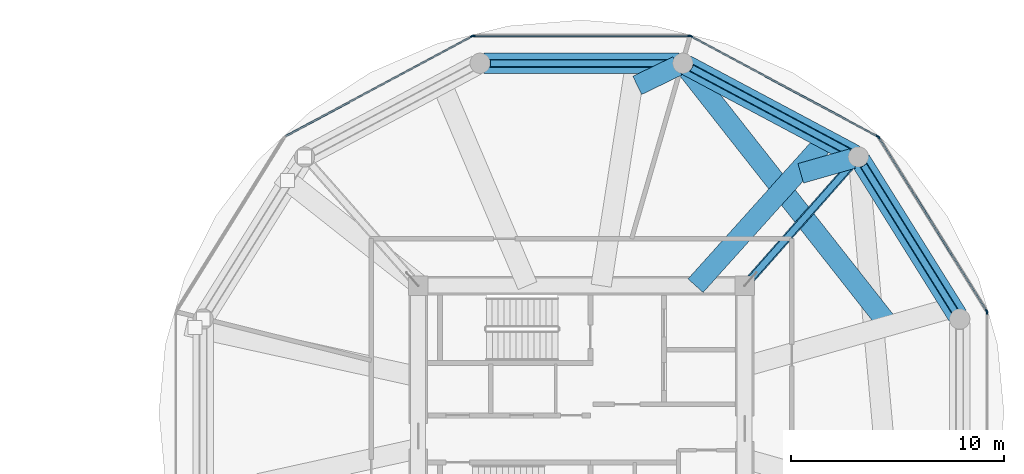
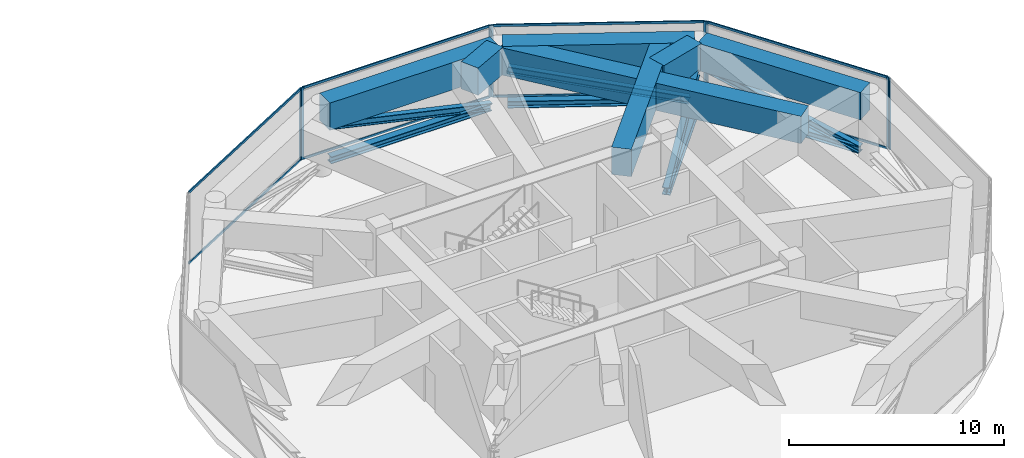
# One storey, part 12 of 22: 24 members, 7 beams, 5 elements without a shape of their own.
"""IFC4 building model written with IfcOpenShell, lengths in metres."""

from ifc_helpers import new_model, si_unit, direction, frame, origin, origin_2d, place, context, subcontext, project, spatial, rectangle, i_section, extrude, source, transform, mapped, material, layer, layer_set, material_profile, profile_set, type_object, type_shapes, element, aggregate, save


model = new_model("IFC4")

# Units and contexts
model_context = context("Model", 3, precision=1e-05, world=origin(), true_north=direction((0.0, 1.0)))
body_context = subcontext(model_context, "Body", "Model", "MODEL_VIEW")
ifc_project = project(units=[si_unit("LENGTHUNIT", "METRE"), si_unit("AREAUNIT", "SQUARE_METRE"), si_unit("VOLUMEUNIT", "CUBIC_METRE"), si_unit("PLANEANGLEUNIT", "RADIAN"), si_unit("MASSUNIT", "GRAM", prefix="KILO")], contexts=[model_context])

# Site, building, storey
site_placement = place(None, origin())
site = spatial("IfcSite", under=ifc_project, at=site_placement, CompositionType="ELEMENT")
building_placement = place(site_placement, origin())
building = spatial("IfcBuilding", under=site, at=building_placement, Name="Norrkilde Senior Care Towers", CompositionType="ELEMENT")
storey_placement = place(building_placement, frame((0.0, 0.0, 73.449951171875)))
storey = spatial("IfcBuildingStorey", under=building, at=storey_placement, Name="L22", CompositionType="ELEMENT", Elevation=73.449951171875)

# Beams
ifc_material_1 = material(Name="Concrete C60/75", Category="concrete")
ifc_material_profile_1 = material_profile(ifc_material_1, rectangle(XDim=0.949951171875, YDim=1.550048828125, at=origin_2d()), Name="RC TG 950x1550")
ifc_profile_set_1 = profile_set([ifc_material_profile_1], Name="Concrete C60/75")
beam_type = type_object("IfcBeamType", Name="Transfer Girder Zone Shift 950x1550", PredefinedType="USERDEFINED", material=ifc_profile_set_1)
shared_shape_1 = source(origin(), body_context, "Body", "SweptSolid", [
    extrude(rectangle(XDim=0.949951171875, YDim=1.550048828125, at=origin_2d()), origin(), (0.0, 0.0, 1.0), 8.6005859375),
])
beam_1_placement = place(storey_placement, frame((45.62939453125, 4.53955078125, 3.304931640625), z_axis=(-0.53002700696, 0.847980761511, 0.0), x_axis=(-0.847980761511, -0.53002700696, 0.0)))
element("IfcBeam", 1, at=beam_1_placement, inside=storey, type_object=beam_type, Name="L22 Drum E Zone Ring Transfer Girder 01", ObjectType="GIRDER", PredefinedType="USERDEFINED", context=body_context, shape_type="MappedRepresentation", body=[
    mapped(shared_shape_1, transform((0.0, 0.0, 0.0), x_axis=(1.0, 0.0, 0.0), y_axis=(0.0, 1.0, 0.0), z_axis=(0.0, 0.0, 1.0), scale=1.0)),
])
shared_shape_2 = source(origin(), body_context, "Body", "SweptSolid", [
    extrude(rectangle(XDim=0.949951171875, YDim=1.550048828125, at=origin_2d()), origin(), (0.0, 0.0, 1.0), 8.962890625),
])
beam_2_placement = place(storey_placement, frame((40.816650390625, 12.070068359375, 3.304931640625), z_axis=(-0.882355957252, 0.470582580109, 0.0), x_axis=(-0.470582580109, -0.882355957252, 0.0)))
element("IfcBeam", 2, at=beam_2_placement, inside=storey, type_object=beam_type, Name="L22 Drum E Zone Ring Transfer Girder 02", ObjectType="GIRDER", PredefinedType="USERDEFINED", context=body_context, shape_type="MappedRepresentation", body=[
    mapped(shared_shape_2, transform((0.0, 0.0, 0.0), x_axis=(1.0, 0.0, 0.0), y_axis=(0.0, 1.0, 0.0), z_axis=(0.0, 0.0, 1.0), scale=1.0)),
])
shared_shape_3 = source(origin(), body_context, "Body", "SweptSolid", [
    extrude(rectangle(XDim=0.949951171875, YDim=1.550048828125, at=origin_2d()), origin(), (0.0, 0.0, 1.0), 9.138671875),
])
beam_3_placement = place(storey_placement, frame((32.5693359375, 16.37255859375, 3.304931640625), z_axis=(-1.0, 0.0, 0.0), x_axis=(0.0, -1.0, 0.0)))
element("IfcBeam", 3, at=beam_3_placement, inside=storey, type_object=beam_type, Name="L22 Drum E Zone Ring Transfer Girder 03", ObjectType="GIRDER", PredefinedType="USERDEFINED", context=body_context, shape_type="MappedRepresentation", body=[
    mapped(shared_shape_3, transform((0.0, 0.0, 0.0), x_axis=(1.0, 0.0, 0.0), y_axis=(0.0, 1.0, 0.0), z_axis=(0.0, 0.0, 1.0), scale=1.0)),
])
shared_shape_4 = source(origin(), body_context, "Body", "SweptSolid", [
    extrude(rectangle(XDim=0.949951171875, YDim=1.550048828125, at=origin_2d()), origin(), (0.0, 0.0, 1.0), 2.093017578125),
])
beam_4_placement = place(storey_placement, frame((30.61474609375, 15.335693359375, 3.304931640625), z_axis=(0.899546137145, 0.436825762916, 0.0), x_axis=(-0.436825762916, 0.899546137145, 0.0)))
element("IfcBeam", 4, at=beam_4_placement, inside=storey, type_object=beam_type, Name="L22 Drum E Zone Star Transfer Tie 03", ObjectType="GIRDER", PredefinedType="USERDEFINED", context=body_context, shape_type="MappedRepresentation", body=[
    mapped(shared_shape_4, transform((0.0, 0.0, 0.0), x_axis=(1.0, 0.0, 0.0), y_axis=(0.0, 1.0, 0.0), z_axis=(0.0, 0.0, 1.0), scale=1.0)),
])
shared_shape_5 = source(origin(), body_context, "Body", "SweptSolid", [
    extrude(rectangle(XDim=0.949951171875, YDim=1.550048828125, at=origin_2d()), origin(), (0.0, 0.0, 1.0), 9.183349609375),
])
beam_5_placement = place(storey_placement, frame((33.345947265625, 5.949951171875, 3.304931640625), z_axis=(0.668319684115, 0.743874182792, 0.0), x_axis=(-0.743874182792, 0.668319684115, 0.0)))
element("IfcBeam", 5, at=beam_5_placement, inside=storey, type_object=beam_type, Name="L22 Drum E Zone Transfer Girder 02", ObjectType="GIRDER", PredefinedType="USERDEFINED", context=body_context, shape_type="MappedRepresentation", body=[
    mapped(shared_shape_5, transform((0.0, 0.0, 0.0), x_axis=(1.0, 0.0, 0.0), y_axis=(0.0, 1.0, 0.0), z_axis=(0.0, 0.0, 1.0), scale=1.0)),
])
shared_shape_6 = source(origin(), body_context, "Body", "SweptSolid", [
    extrude(rectangle(XDim=0.949951171875, YDim=1.550048828125, at=origin_2d()), origin(), (0.0, 0.0, 1.0), 2.528076171875),
])
beam_6_placement = place(storey_placement, frame((38.275390625, 11.2138671875, 3.304931640625), z_axis=(0.961520303508, 0.274733882041, 0.0), x_axis=(-0.274733882041, 0.961520303508, 0.0)))
element("IfcBeam", 6, at=beam_6_placement, inside=storey, type_object=beam_type, Name="L22 Drum E Zone Star Transfer Tie 02", ObjectType="GIRDER", PredefinedType="USERDEFINED", context=body_context, shape_type="MappedRepresentation", body=[
    mapped(shared_shape_6, transform((0.0, 0.0, 0.0), x_axis=(1.0, 0.0, 0.0), y_axis=(0.0, 1.0, 0.0), z_axis=(0.0, 0.0, 1.0), scale=1.0)),
])
shared_shape_7 = source(origin(), body_context, "Body", "SweptSolid", [
    extrude(rectangle(XDim=0.949951171875, YDim=1.550048828125, at=origin_2d()), origin(), (0.0, 0.0, 1.0), 15.082763671875),
])
type_shapes(beam_type, [shared_shape_1, shared_shape_2, shared_shape_3, shared_shape_4, shared_shape_5, shared_shape_6, shared_shape_7])
beam_7_placement = place(storey_placement, frame((42.245849609375, 4.29638671875, 3.304931640625), z_axis=(-0.618153196286, 0.786057647963, 0.0), x_axis=(-0.786057647963, -0.618153196286, 0.0)))
element("IfcBeam", 7, at=beam_7_placement, inside=storey, type_object=beam_type, Name="L22 Drum E Zone Star Transfer Tie 01", ObjectType="GIRDER", PredefinedType="USERDEFINED", context=body_context, shape_type="MappedRepresentation", body=[
    mapped(shared_shape_7, transform((0.0, 0.0, 0.0), x_axis=(1.0, 0.0, 0.0), y_axis=(0.0, 1.0, 0.0), z_axis=(0.0, 0.0, 1.0), scale=1.0)),
])

# Members
ifc_material_2 = material(Name="Steel S355", Category="steel")
ifc_material_profile_2 = material_profile(ifc_material_2, i_section(OverallWidth=0.3740234375, OverallDepth=0.386962890625, WebThickness=0.01611328125, FlangeThickness=0.027099609375, FilletRadius=0.014892578125, at=origin_2d()), Name="HD 360x262")
ifc_profile_set_2 = profile_set([ifc_material_profile_2], Name="Steel S355")
member_type_1 = type_object("IfcMemberType", Name="Belt Truss Ring Chord HD360x262", PredefinedType="CHORD", material=ifc_profile_set_2)
shared_shape_8 = source(origin(), body_context, "Body", "SweptSolid", [
    extrude(i_section(OverallWidth=0.3740234375, OverallDepth=0.386962890625, WebThickness=0.01611328125, FlangeThickness=0.027099609375, FilletRadius=0.014892578125, at=origin_2d()), origin(), (0.0, 0.0, 1.0), 8.090576171875),
])
member_1_placement = place(storey_placement, frame((45.494140625, 4.755859375, 0.550048828125), z_axis=(-0.530004364821, 0.84799491347, 0.0), x_axis=(-0.84799491347, -0.530004364821, 0.0)))
element("IfcMember", 8, at=member_1_placement, inside=storey, type_object=member_type_1, Name="L22 Drum E Belt Truss Bottom Chord 01", PredefinedType="CHORD", context=body_context, shape_type="MappedRepresentation", body=[
    mapped(shared_shape_8, transform((0.0, 0.0, 0.0), x_axis=(1.0, 0.0, 0.0), y_axis=(0.0, 1.0, 0.0), z_axis=(0.0, 0.0, 1.0), scale=1.0)),
])
ifc_material_profile_3 = material_profile(ifc_material_2, i_section(OverallWidth=0.300048828125, OverallDepth=0.39990234375, WebThickness=0.013427734375, FlangeThickness=0.02392578125, FilletRadius=0.027099609375, at=origin_2d()), Name="HEB 400")
ifc_profile_set_3 = profile_set([ifc_material_profile_3], Name="Steel S355")
member_type_2 = type_object("IfcMemberType", Name="Belt Truss Diagonal HEB400", PredefinedType="BRACE", material=ifc_profile_set_3)
shared_shape_9 = source(origin(), body_context, "Body", "SweptSolid", [
    extrude(i_section(OverallWidth=0.300048828125, OverallDepth=0.39990234375, WebThickness=0.013427734375, FlangeThickness=0.02392578125, FilletRadius=0.027099609375, at=origin_2d()), origin(), (0.0, 0.0, 1.0), 8.317626953125),
])
member_2_placement = place(storey_placement, frame((45.494140625, 4.755859375, 0.550048828125), z_axis=(-0.515540041994, 0.824852326355, 0.232028241401), x_axis=(-0.84799491347, -0.530004364821, 0.0)))
element("IfcMember", 9, at=member_2_placement, inside=storey, type_object=member_type_2, Name="L22 Drum E Belt Truss Diagonal 01", PredefinedType="BRACE", context=body_context, shape_type="MappedRepresentation", body=[
    mapped(shared_shape_9, transform((0.0, 0.0, 0.0), x_axis=(1.0, 0.0, 0.0), y_axis=(0.0, 1.0, 0.0), z_axis=(0.0, 0.0, 1.0), scale=1.0)),
])
shared_shape_10 = source(origin(), body_context, "Body", "SweptSolid", [
    extrude(i_section(OverallWidth=0.3740234375, OverallDepth=0.386962890625, WebThickness=0.01611328125, FlangeThickness=0.027099609375, FilletRadius=0.014892578125, at=origin_2d()), origin(), (0.0, 0.0, 1.0), 8.452880859375),
])
member_3_placement = place(storey_placement, frame((40.591552734375, 12.190185546875, 0.550048828125), z_axis=(-0.882368931134, 0.470558252898, 0.0), x_axis=(-0.470558252898, -0.882368931134, 0.0)))
element("IfcMember", 10, at=member_3_placement, inside=storey, type_object=member_type_1, Name="L22 Drum E Belt Truss Bottom Chord 02", PredefinedType="CHORD", context=body_context, shape_type="MappedRepresentation", body=[
    mapped(shared_shape_10, transform((0.0, 0.0, 0.0), x_axis=(1.0, 0.0, 0.0), y_axis=(0.0, 1.0, 0.0), z_axis=(0.0, 0.0, 1.0), scale=1.0)),
])
shared_shape_11 = source(origin(), body_context, "Body", "SweptSolid", [
    extrude(i_section(OverallWidth=0.300048828125, OverallDepth=0.39990234375, WebThickness=0.013427734375, FlangeThickness=0.02392578125, FilletRadius=0.027099609375, at=origin_2d()), origin(), (0.0, 0.0, 1.0), 8.67041015625),
])
member_4_placement = place(storey_placement, frame((40.591552734375, 12.190185546875, 0.550048828125), z_axis=(-0.860232119374, 0.458752919438, 0.222590340545), x_axis=(-0.470558252898, -0.882368931134, 0.0)))
element("IfcMember", 11, at=member_4_placement, inside=storey, type_object=member_type_2, Name="L22 Drum E Belt Truss Diagonal 02", PredefinedType="BRACE", context=body_context, shape_type="MappedRepresentation", body=[
    mapped(shared_shape_11, transform((0.0, 0.0, 0.0), x_axis=(1.0, 0.0, 0.0), y_axis=(0.0, 1.0, 0.0), z_axis=(0.0, 0.0, 1.0), scale=1.0)),
])
shared_shape_12 = source(origin(), body_context, "Body", "SweptSolid", [
    extrude(i_section(OverallWidth=0.3740234375, OverallDepth=0.386962890625, WebThickness=0.01611328125, FlangeThickness=0.027099609375, FilletRadius=0.014892578125, at=origin_2d()), origin(), (0.0, 0.0, 1.0), 8.62841796875),
])
type_shapes(member_type_1, [shared_shape_8, shared_shape_10, shared_shape_12])
member_5_placement = place(storey_placement, frame((32.314208984375, 16.37255859375, 0.550048828125), z_axis=(-1.0, 0.0, 0.0), x_axis=(0.0, -1.0, 0.0)))
element("IfcMember", 12, at=member_5_placement, inside=storey, type_object=member_type_1, Name="L22 Drum E Belt Truss Bottom Chord 03", PredefinedType="CHORD", context=body_context, shape_type="MappedRepresentation", body=[
    mapped(shared_shape_12, transform((0.0, 0.0, 0.0), x_axis=(1.0, 0.0, 0.0), y_axis=(0.0, 1.0, 0.0), z_axis=(0.0, 0.0, 1.0), scale=1.0)),
])
shared_shape_13 = source(origin(), body_context, "Body", "SweptSolid", [
    extrude(i_section(OverallWidth=0.300048828125, OverallDepth=0.39990234375, WebThickness=0.013427734375, FlangeThickness=0.02392578125, FilletRadius=0.027099609375, at=origin_2d()), origin(), (0.0, 0.0, 1.0), 8.841552734375),
])
type_shapes(member_type_2, [shared_shape_9, shared_shape_11, shared_shape_13])
member_6_placement = place(storey_placement, frame((32.314208984375, 16.37255859375, 0.550048828125), z_axis=(-0.975886613571, 0.0, 0.218278073688), x_axis=(0.0, -1.0, 0.0)))
element("IfcMember", 13, at=member_6_placement, inside=storey, type_object=member_type_2, Name="L22 Drum E Belt Truss Diagonal 03", PredefinedType="BRACE", context=body_context, shape_type="MappedRepresentation", body=[
    mapped(shared_shape_13, transform((0.0, 0.0, 0.0), x_axis=(1.0, 0.0, 0.0), y_axis=(0.0, 1.0, 0.0), z_axis=(0.0, 0.0, 1.0), scale=1.0)),
])
ifc_material_profile_4 = material_profile(ifc_material_2, i_section(OverallWidth=0.402099609375, OverallDepth=0.419921875, WebThickness=0.02001953125, FlangeThickness=0.032958984375, FilletRadius=0.014892578125, at=origin_2d()), Name="HD 400x347")
ifc_profile_set_4 = profile_set([ifc_material_profile_4], Name="Steel S355")
member_type_3 = type_object("IfcMemberType", Name="Outrigger Truss Chord HD400x347", PredefinedType="CHORD", material=ifc_profile_set_4)
shared_shape_14 = source(origin(), body_context, "Body", "SweptSolid", [
    extrude(i_section(OverallWidth=0.402099609375, OverallDepth=0.419921875, WebThickness=0.02001953125, FlangeThickness=0.032958984375, FilletRadius=0.014892578125, at=origin_2d()), origin(), (0.0, 0.0, 1.0), 7.203857421875),
])
type_shapes(member_type_3, [shared_shape_14])
member_7_placement = place(storey_placement, frame((35.92138671875, 6.25732421875, 0.550048828125), z_axis=(0.661603702805, 0.74985367935, 0.0), x_axis=(-0.74985367935, 0.661603702805, 0.0)))
element("IfcMember", 14, at=member_7_placement, inside=storey, type_object=member_type_3, Name="L22 Drum E Outrigger Chord 3", PredefinedType="CHORD", context=body_context, shape_type="MappedRepresentation", body=[
    mapped(shared_shape_14, transform((0.0, 0.0, 0.0), x_axis=(1.0, 0.0, 0.0), y_axis=(0.0, 1.0, 0.0), z_axis=(0.0, 0.0, 1.0), scale=1.0)),
])
ifc_material_profile_5 = material_profile(ifc_material_2, i_section(OverallWidth=0.300048828125, OverallDepth=0.5, WebThickness=0.014404296875, FlangeThickness=0.028076171875, FilletRadius=0.027099609375, at=origin_2d()), Name="HEB 500")
ifc_profile_set_5 = profile_set([ifc_material_profile_5], Name="Steel S355")
member_type_4 = type_object("IfcMemberType", Name="Outrigger Truss Diagonal HEB500", PredefinedType="BRACE", material=ifc_profile_set_5)
shared_shape_15 = source(origin(), body_context, "Body", "SweptSolid", [
    extrude(i_section(OverallWidth=0.300048828125, OverallDepth=0.5, WebThickness=0.014404296875, FlangeThickness=0.028076171875, FilletRadius=0.027099609375, at=origin_2d()), origin(), (0.0, 0.0, 1.0), 7.4580078125),
])
type_shapes(member_type_4, [shared_shape_15])
member_8_placement = place(storey_placement, frame((35.92138671875, 6.25732421875, 0.550048828125), z_axis=(0.639067688082, 0.724311631314, 0.258776256239), x_axis=(-0.74985367935, 0.661603702805, 0.0)))
element("IfcMember", 15, at=member_8_placement, inside=storey, type_object=member_type_4, Name="L22 Drum E Outrigger Diagonal 3", PredefinedType="BRACE", context=body_context, shape_type="MappedRepresentation", body=[
    mapped(shared_shape_15, transform((0.0, 0.0, 0.0), x_axis=(1.0, 0.0, 0.0), y_axis=(0.0, 1.0, 0.0), z_axis=(0.0, 0.0, 1.0), scale=1.0)),
])

# Curtain wall, members
ifc_material_3 = material(Name="Triple Low-E Insulated Glazing", Category="glass")
ifc_layer = layer(ifc_material_3, 0.18505859375)
ifc_layer_set = layer_set([ifc_layer], Name="Triple Low-E Insulated Glazing")
curtain_wall_type = type_object("IfcCurtainWallType", Name="CW6 Zone 4 Crown Pavilion Curtain Wall", PredefinedType="NOTDEFINED", material=ifc_layer_set)
curtain_wall_1_placement = place(storey_placement, origin())
curtain_wall_1 = element("IfcCurtainWall", 16, at=curtain_wall_1_placement, inside=storey, type_object=curtain_wall_type, Name="L22 Drum E Curtain Wall 00", PredefinedType="NOTDEFINED")
ifc_material_4 = material(Name="Anodised Aluminium", Category="aluminium")
ifc_material_profile_6 = material_profile(ifc_material_4, rectangle(XDim=0.070068359375, YDim=0.169921875, at=origin_2d()), Name="ALU MULL 70x170")
ifc_profile_set_6 = profile_set([ifc_material_profile_6], Name="Anodised Aluminium")
member_type_5 = type_object("IfcMemberType", Name="Curtain Wall Mullion Heavy 70x170", PredefinedType="MULLION", material=ifc_profile_set_6)
shared_shape_16 = source(origin(), body_context, "Body", "SweptSolid", [
    extrude(rectangle(XDim=0.070068359375, YDim=0.169921875, at=origin_2d()), origin(), (0.0, 0.0, 1.0), 4.080078125),
])
type_shapes(member_type_5, [shared_shape_16])
member_9_placement = place(storey_placement, frame((41.934326171875, 12.896240234375, 0.0), z_axis=(0.0, 0.0, 1.0), x_axis=(0.849305943117, 0.527900951871, 0.0)))
member_9 = element("IfcMember", 17, at=member_9_placement, type_object=member_type_5, Name="CW-6 mullion 1", PredefinedType="MULLION", context=body_context, shape_type="MappedRepresentation", body=[
    mapped(shared_shape_16, transform((0.0, 0.0, 0.0), x_axis=(1.0, 0.0, 0.0), y_axis=(0.0, 1.0, 0.0), z_axis=(0.0, 0.0, 1.0), scale=1.0)),
])
member_10_placement = place(storey_placement, frame((46.990966796875, 4.760986328125, 0.0), z_axis=(0.0, 0.0, 1.0), x_axis=(0.849305943117, 0.527900951871, 0.0)))
member_10 = element("IfcMember", 18, at=member_10_placement, type_object=member_type_5, Name="CW-6 mullion 2", PredefinedType="MULLION", context=body_context, shape_type="MappedRepresentation", body=[
    mapped(shared_shape_16, transform((0.0, 0.0, 0.0), x_axis=(1.0, 0.0, 0.0), y_axis=(0.0, 1.0, 0.0), z_axis=(0.0, 0.0, 1.0), scale=1.0)),
])

curtain_wall_2_placement = place(storey_placement, origin())
curtain_wall_2 = element("IfcCurtainWall", 19, at=curtain_wall_2_placement, inside=storey, type_object=curtain_wall_type, Name="L22 Drum E Curtain Wall 01", PredefinedType="NOTDEFINED")
member_11_placement = place(storey_placement, frame((33.12451171875, 17.640625, 0.0), z_axis=(0.0, 0.0, 1.0), x_axis=(0.472607802456, 0.881272866403, 0.0)))
member_11 = element("IfcMember", 20, at=member_11_placement, type_object=member_type_5, Name="CW-6 mullion 1", PredefinedType="MULLION", context=body_context, shape_type="MappedRepresentation", body=[
    mapped(shared_shape_16, transform((0.0, 0.0, 0.0), x_axis=(1.0, 0.0, 0.0), y_axis=(0.0, 1.0, 0.0), z_axis=(0.0, 0.0, 1.0), scale=1.0)),
])
member_12_placement = place(storey_placement, frame((41.885009765625, 12.9423828125, 0.0), z_axis=(0.0, 0.0, 1.0), x_axis=(0.472607802456, 0.881272866403, 0.0)))
member_12 = element("IfcMember", 21, at=member_12_placement, type_object=member_type_5, Name="CW-6 mullion 2", PredefinedType="MULLION", context=body_context, shape_type="MappedRepresentation", body=[
    mapped(shared_shape_16, transform((0.0, 0.0, 0.0), x_axis=(1.0, 0.0, 0.0), y_axis=(0.0, 1.0, 0.0), z_axis=(0.0, 0.0, 1.0), scale=1.0)),
])

curtain_wall_3_placement = place(storey_placement, origin())
curtain_wall_3 = element("IfcCurtainWall", 22, at=curtain_wall_3_placement, inside=storey, type_object=curtain_wall_type, Name="L22 Drum E Curtain Wall 02", PredefinedType="NOTDEFINED")
member_13_placement = place(storey_placement, frame((22.94140625, 17.6572265625, 0.0), z_axis=(0.0, 0.0, 1.0), x_axis=(0.0, 1.0, 0.0)))
member_13 = element("IfcMember", 23, at=member_13_placement, type_object=member_type_5, Name="CW-6 mullion 1", PredefinedType="MULLION", context=body_context, shape_type="MappedRepresentation", body=[
    mapped(shared_shape_16, transform((0.0, 0.0, 0.0), x_axis=(1.0, 0.0, 0.0), y_axis=(0.0, 1.0, 0.0), z_axis=(0.0, 0.0, 1.0), scale=1.0)),
])
member_14_placement = place(storey_placement, frame((33.05859375, 17.6572265625, 0.0), z_axis=(0.0, 0.0, 1.0), x_axis=(0.0, 1.0, 0.0)))
member_14 = element("IfcMember", 24, at=member_14_placement, type_object=member_type_5, Name="CW-6 mullion 2", PredefinedType="MULLION", context=body_context, shape_type="MappedRepresentation", body=[
    mapped(shared_shape_16, transform((0.0, 0.0, 0.0), x_axis=(1.0, 0.0, 0.0), y_axis=(0.0, 1.0, 0.0), z_axis=(0.0, 0.0, 1.0), scale=1.0)),
])

# Curtain wall, member
curtain_wall_4_placement = place(storey_placement, origin())
curtain_wall_4 = element("IfcCurtainWall", 25, at=curtain_wall_4_placement, inside=storey, type_object=curtain_wall_type, Name="L22 Drum E Curtain Wall 03", PredefinedType="NOTDEFINED")
member_15_placement = place(storey_placement, frame((22.87548828125, 17.640625, 0.0), z_axis=(0.0, 0.0, 1.0), x_axis=(-0.472607802456, 0.881272866403, 0.0)))
member_15 = element("IfcMember", 26, at=member_15_placement, type_object=member_type_5, Name="CW-6 mullion 2", PredefinedType="MULLION", context=body_context, shape_type="MappedRepresentation", body=[
    mapped(shared_shape_16, transform((0.0, 0.0, 0.0), x_axis=(1.0, 0.0, 0.0), y_axis=(0.0, 1.0, 0.0), z_axis=(0.0, 0.0, 1.0), scale=1.0)),
])

curtain_wall_5_placement = place(storey_placement, origin())
curtain_wall_5 = element("IfcCurtainWall", 27, at=curtain_wall_5_placement, inside=storey, type_object=curtain_wall_type, Name="L22 Drum E Curtain Wall 11", PredefinedType="NOTDEFINED")
member_16_placement = place(storey_placement, frame((47.009521484375, 4.6962890625, 0.0), z_axis=(0.0, 0.0, 1.0), x_axis=(1.0, 0.0, 0.0)))
member_16 = element("IfcMember", 28, at=member_16_placement, type_object=member_type_5, Name="CW-6 mullion 1", PredefinedType="MULLION", context=body_context, shape_type="MappedRepresentation", body=[
    mapped(shared_shape_16, transform((0.0, 0.0, 0.0), x_axis=(1.0, 0.0, 0.0), y_axis=(0.0, 1.0, 0.0), z_axis=(0.0, 0.0, 1.0), scale=1.0)),
])
aggregate(curtain_wall_5, [member_16])

# Member
ifc_material_profile_7 = material_profile(ifc_material_4, rectangle(XDim=0.06494140625, YDim=0.1298828125, at=origin_2d()), Name="ALU TRAN 65x130")
ifc_profile_set_7 = profile_set([ifc_material_profile_7], Name="Anodised Aluminium")
member_type_6 = type_object("IfcMemberType", Name="Curtain Wall Transom Heavy 65x130", PredefinedType="USERDEFINED", material=ifc_profile_set_7)
shared_shape_17 = source(origin(), body_context, "Body", "SweptSolid", [
    extrude(rectangle(XDim=0.06494140625, YDim=0.1298828125, at=origin_2d()), origin(), (0.0, 0.0, 1.0), 9.508544921875),
])
member_17_placement = place(storey_placement, frame((41.952880859375, 12.866455078125, 0.032470703125), z_axis=(0.527897081271, -0.849308348944, 0.0), x_axis=(0.849308348944, 0.527897081271, 0.0)))
member_17 = element("IfcMember", 29, at=member_17_placement, type_object=member_type_6, Name="CW-6 transom 1.1", ObjectType="TRANSOM", PredefinedType="USERDEFINED", context=body_context, shape_type="MappedRepresentation", body=[
    mapped(shared_shape_17, transform((0.0, 0.0, 0.0), x_axis=(1.0, 0.0, 0.0), y_axis=(0.0, 1.0, 0.0), z_axis=(0.0, 0.0, 1.0), scale=1.0)),
])

member_18_placement = place(storey_placement, frame((41.952880859375, 12.866455078125, 4.047607421875), z_axis=(0.527897081271, -0.849308348944, 0.0), x_axis=(0.849308348944, 0.527897081271, 0.0)))
member_18 = element("IfcMember", 30, at=member_18_placement, type_object=member_type_6, Name="CW-6 transom 1.2", ObjectType="TRANSOM", PredefinedType="USERDEFINED", context=body_context, shape_type="MappedRepresentation", body=[
    mapped(shared_shape_17, transform((0.0, 0.0, 0.0), x_axis=(1.0, 0.0, 0.0), y_axis=(0.0, 1.0, 0.0), z_axis=(0.0, 0.0, 1.0), scale=1.0)),
])

aggregate(curtain_wall_1, [member_9, member_10, member_17, member_18])

shared_shape_18 = source(origin(), body_context, "Body", "SweptSolid", [
    extrude(rectangle(XDim=0.06494140625, YDim=0.1298828125, at=origin_2d()), origin(), (0.0, 0.0, 1.0), 9.870849609375),
])
member_19_placement = place(storey_placement, frame((33.1552734375, 17.6240234375, 0.032470703125), z_axis=(0.881274347161, -0.472605041272, 0.0), x_axis=(0.472605041272, 0.881274347161, 0.0)))
member_19 = element("IfcMember", 31, at=member_19_placement, type_object=member_type_6, Name="CW-6 transom 1.1", ObjectType="TRANSOM", PredefinedType="USERDEFINED", context=body_context, shape_type="MappedRepresentation", body=[
    mapped(shared_shape_18, transform((0.0, 0.0, 0.0), x_axis=(1.0, 0.0, 0.0), y_axis=(0.0, 1.0, 0.0), z_axis=(0.0, 0.0, 1.0), scale=1.0)),
])

member_20_placement = place(storey_placement, frame((33.1552734375, 17.6240234375, 4.047607421875), z_axis=(0.881274347161, -0.472605041272, 0.0), x_axis=(0.472605041272, 0.881274347161, 0.0)))
member_20 = element("IfcMember", 32, at=member_20_placement, type_object=member_type_6, Name="CW-6 transom 1.2", ObjectType="TRANSOM", PredefinedType="USERDEFINED", context=body_context, shape_type="MappedRepresentation", body=[
    mapped(shared_shape_18, transform((0.0, 0.0, 0.0), x_axis=(1.0, 0.0, 0.0), y_axis=(0.0, 1.0, 0.0), z_axis=(0.0, 0.0, 1.0), scale=1.0)),
])

aggregate(curtain_wall_2, [member_11, member_12, member_19, member_20])

member_21_placement = place(storey_placement, frame((14.145751953125, 12.958984375, 0.032470703125), z_axis=(0.881274347161, 0.472605041272, 0.0), x_axis=(-0.472605041272, 0.881274347161, 0.0)))
member_21 = element("IfcMember", 33, at=member_21_placement, type_object=member_type_6, Name="CW-6 transom 1.1", ObjectType="TRANSOM", PredefinedType="USERDEFINED", context=body_context, shape_type="MappedRepresentation", body=[
    mapped(shared_shape_18, transform((0.0, 0.0, 0.0), x_axis=(1.0, 0.0, 0.0), y_axis=(0.0, 1.0, 0.0), z_axis=(0.0, 0.0, 1.0), scale=1.0)),
])

member_22_placement = place(storey_placement, frame((14.145751953125, 12.958984375, 4.047607421875), z_axis=(0.881274347161, 0.472605041272, 0.0), x_axis=(-0.472605041272, 0.881274347161, 0.0)))
member_22 = element("IfcMember", 34, at=member_22_placement, type_object=member_type_6, Name="CW-6 transom 1.2", ObjectType="TRANSOM", PredefinedType="USERDEFINED", context=body_context, shape_type="MappedRepresentation", body=[
    mapped(shared_shape_18, transform((0.0, 0.0, 0.0), x_axis=(1.0, 0.0, 0.0), y_axis=(0.0, 1.0, 0.0), z_axis=(0.0, 0.0, 1.0), scale=1.0)),
])

aggregate(curtain_wall_4, [member_15, member_21, member_22])

shared_shape_19 = source(origin(), body_context, "Body", "SweptSolid", [
    extrude(rectangle(XDim=0.06494140625, YDim=0.1298828125, at=origin_2d()), origin(), (0.0, 0.0, 1.0), 10.046875),
])
type_shapes(member_type_6, [shared_shape_17, shared_shape_18, shared_shape_19])
member_23_placement = place(storey_placement, frame((22.9765625, 17.6572265625, 0.032470703125), z_axis=(1.0, 0.0, 0.0), x_axis=(0.0, 1.0, 0.0)))
member_23 = element("IfcMember", 35, at=member_23_placement, type_object=member_type_6, Name="CW-6 transom 1.1", ObjectType="TRANSOM", PredefinedType="USERDEFINED", context=body_context, shape_type="MappedRepresentation", body=[
    mapped(shared_shape_19, transform((0.0, 0.0, 0.0), x_axis=(1.0, 0.0, 0.0), y_axis=(0.0, 1.0, 0.0), z_axis=(0.0, 0.0, 1.0), scale=1.0)),
])

member_24_placement = place(storey_placement, frame((22.9765625, 17.6572265625, 4.047607421875), z_axis=(1.0, 0.0, 0.0), x_axis=(0.0, 1.0, 0.0)))
member_24 = element("IfcMember", 36, at=member_24_placement, type_object=member_type_6, Name="CW-6 transom 1.2", ObjectType="TRANSOM", PredefinedType="USERDEFINED", context=body_context, shape_type="MappedRepresentation", body=[
    mapped(shared_shape_19, transform((0.0, 0.0, 0.0), x_axis=(1.0, 0.0, 0.0), y_axis=(0.0, 1.0, 0.0), z_axis=(0.0, 0.0, 1.0), scale=1.0)),
])

aggregate(curtain_wall_3, [member_13, member_14, member_23, member_24])

save(model, "model.ifc")
